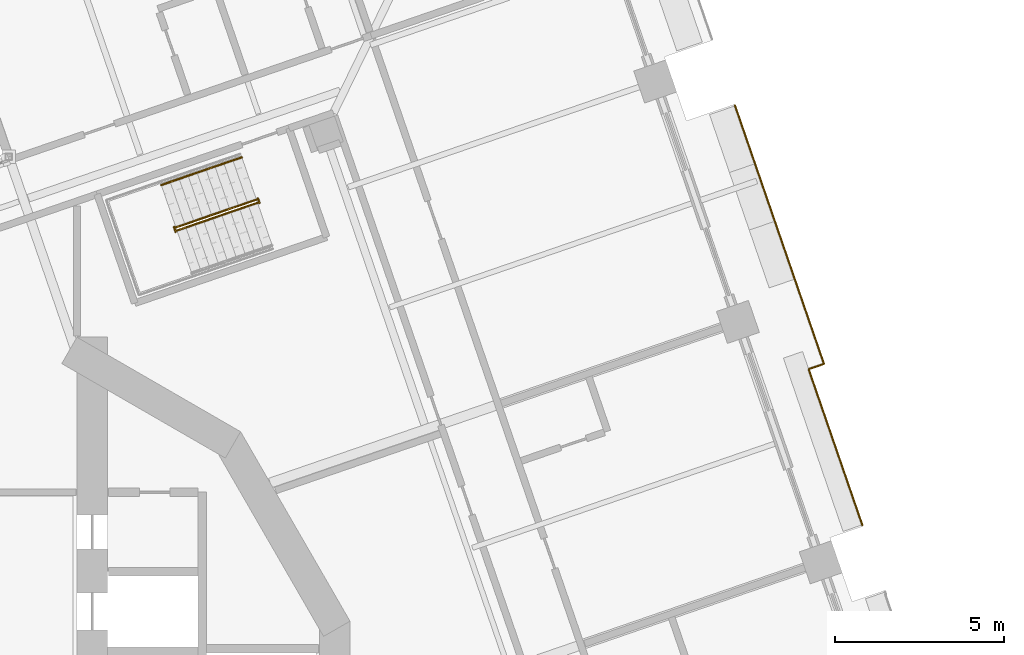
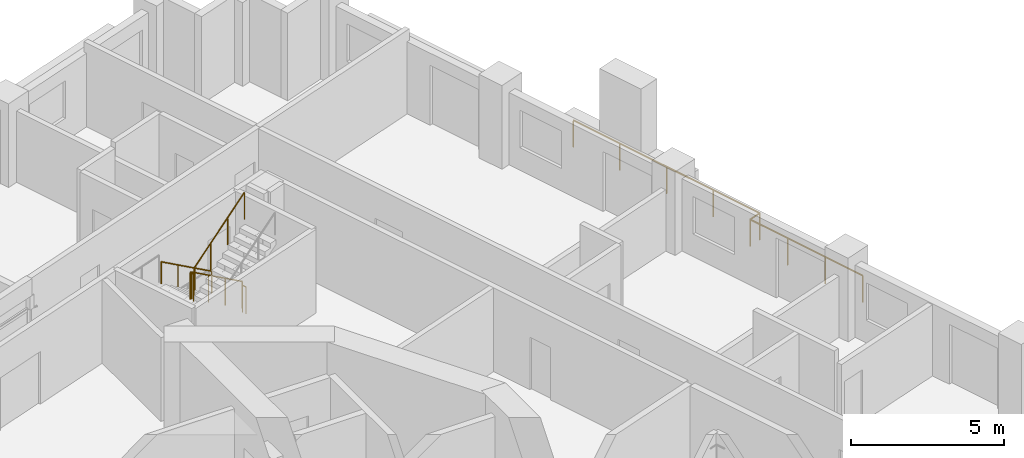
# One storey, part 19 of 22: 5 railings.
"""IFC4 building model written with IfcOpenShell, lengths in metres."""

from ifc_helpers import new_model, si_unit, direction, frame, origin, origin_2d, place, context, subcontext, project, spatial, circle, extrude, material, type_object, element, save


model = new_model("IFC4")

# Units and contexts
model_context = context("Model", 3, precision=1e-05, world=origin(), true_north=direction((0.0, 1.0)))
body_context = subcontext(model_context, "Body", "Model", "MODEL_VIEW")
ifc_project = project(units=[si_unit("LENGTHUNIT", "METRE"), si_unit("AREAUNIT", "SQUARE_METRE"), si_unit("VOLUMEUNIT", "CUBIC_METRE"), si_unit("PLANEANGLEUNIT", "RADIAN"), si_unit("MASSUNIT", "GRAM", prefix="KILO")], contexts=[model_context])

# Site, building, storey
site_placement = place(None, origin())
site = spatial("IfcSite", under=ifc_project, at=site_placement, CompositionType="ELEMENT")
building_placement = place(site_placement, origin())
building = spatial("IfcBuilding", under=site, at=building_placement, Name="Cantera Rosa Tower", CompositionType="ELEMENT")
storey_placement = place(building_placement, frame((0.0, 0.0, 138.300048828125)))
storey = spatial("IfcBuildingStorey", under=building, at=storey_placement, Name="L29", CompositionType="ELEMENT", Elevation=138.300048828125)

# Railings
ifc_material_1 = material(Name="Stainless steel and laminated glass", Category="steel")
railing_type_1 = type_object("IfcRailingType", Name="GUARD 1100", PredefinedType="BALUSTRADE", material=ifc_material_1)
railing_1_placement = place(storey_placement, frame((23.458251953125, 18.494873046875, 0.0)))
element("IfcRailing", 1, at=railing_1_placement, inside=storey, type_object=railing_type_1, Name="GUARD L29-10", PredefinedType="BALUSTRADE", context=body_context, shape_type="SweptSolid", body=[
    extrude(circle(Radius=0.030029296875, at=origin_2d()), frame((0.0, 0.0, 1.070068359375), z_axis=(0.325589884349, -0.945511093118, 0.0), x_axis=(0.945511093118, 0.325589884349, 0.0)), (0.0, 0.0, 1.0), 8.091552734375),
    extrude(circle(Radius=0.030029296875, at=origin_2d()), frame((2.634521484375, -7.650634765625, 1.070068359375), z_axis=(-0.94547584758, -0.325692219193, 0.0), x_axis=(0.325692219193, -0.94547584758, 0.0)), (0.0, 0.0, 1.0), 0.47900390625),
    extrude(circle(Radius=0.030029296875, at=origin_2d()), frame((2.181640625, -7.806640625, 1.070068359375), z_axis=(0.325576621032, -0.945515660281, 0.0), x_axis=(0.945515660281, 0.325576621032, 0.0)), (0.0, 0.0, 1.0), 4.888427734375),
    extrude(circle(Radius=0.02490234375, at=origin_2d()), origin(), (0.0, 0.0, 1.0), 1.0400390625),
    extrude(circle(Radius=0.02490234375, at=origin_2d()), frame((0.65869140625, -1.91259765625, 0.0)), (0.0, 0.0, 1.0), 1.0400390625),
    extrude(circle(Radius=0.02490234375, at=origin_2d()), frame((1.3173828125, -3.8251953125, 0.0)), (0.0, 0.0, 1.0), 1.0400390625),
    extrude(circle(Radius=0.02490234375, at=origin_2d()), frame((1.975830078125, -5.738037109375, 0.0)), (0.0, 0.0, 1.0), 1.0400390625),
    extrude(circle(Radius=0.02490234375, at=origin_2d()), frame((2.634521484375, -7.650634765625, 0.0)), (0.0, 0.0, 1.0), 1.0400390625),
    extrude(circle(Radius=0.02490234375, at=origin_2d()), frame((2.181640625, -7.806640625, 0.0)), (0.0, 0.0, 1.0), 1.0400390625),
    extrude(circle(Radius=0.02490234375, at=origin_2d()), frame((2.712158203125, -9.347412109375, 0.0)), (0.0, 0.0, 1.0), 1.0400390625),
    extrude(circle(Radius=0.02490234375, at=origin_2d()), frame((3.24267578125, -10.887939453125, 0.0)), (0.0, 0.0, 1.0), 1.0400390625),
    extrude(circle(Radius=0.02490234375, at=origin_2d()), frame((3.773193359375, -12.4287109375, 0.0)), (0.0, 0.0, 1.0), 1.0400390625),
])
ifc_material_2 = material(Name="Steel S355J2 (EN 10025-2)", Category="steel")
railing_type_2 = type_object("IfcRailingType", Name="STAIR GUARD 1100", PredefinedType="GUARDRAIL", material=ifc_material_2)
railing_2_placement = place(storey_placement, frame((9.307861328125, 15.7021484375, 0.18994140625)))
element("IfcRailing", 2, at=railing_2_placement, inside=storey, type_object=railing_type_2, Name="L29 ST-21 stair guard 1", PredefinedType="GUARDRAIL", context=body_context, shape_type="SweptSolid", body=[
    extrude(circle(Radius=0.02392578125, at=origin_2d()), frame((0.0, 0.0, 1.076171875), z_axis=(-0.782404165978, -0.269432418223, 0.561471186323), x_axis=(0.325599548996, -0.94550776501, 0.0)), (0.0, 0.0, 1.0), 3.04541015625),
    extrude(circle(Radius=0.02392578125, at=origin_2d()), frame((-2.3828125, -0.820556640625, 2.7861328125), z_axis=(-0.989063265047, 0.147491890402, 0.0), x_axis=(-0.147491890402, -0.989063265047, 0.0)), (0.0, 0.0, 1.0), 0.056396484375),
    extrude(circle(Radius=0.02392578125, at=origin_2d()), frame((-2.4384765625, -0.812255859375, 2.7861328125), z_axis=(0.325990683319, -0.945372981626, 0.0), x_axis=(0.945372981626, 0.325990683319, 0.0)), (0.0, 0.0, 1.0), 0.14990234375),
    extrude(circle(Radius=0.02099609375, at=origin_2d()), origin(), (0.0, 0.0, 1.0), 1.052001953125),
    extrude(circle(Radius=0.02099609375, at=origin_2d()), frame((-0.794189453125, -0.2734375, 0.570068359375)), (0.0, 0.0, 1.0), 1.052001953125),
    extrude(circle(Radius=0.02099609375, at=origin_2d()), frame((-1.588623046875, -0.547119140625, 1.139892578125)), (0.0, 0.0, 1.0), 1.052001953125),
    extrude(circle(Radius=0.02099609375, at=origin_2d()), frame((-2.3828125, -0.820556640625, 1.7099609375)), (0.0, 0.0, 1.0), 1.052001953125),
    extrude(circle(Radius=0.02099609375, at=origin_2d()), frame((-2.4384765625, -0.812255859375, 1.7099609375)), (0.0, 0.0, 1.0), 1.052001953125),
    extrude(circle(Radius=0.02099609375, at=origin_2d()), frame((-2.3896484375, -0.953857421875, 1.7099609375)), (0.0, 0.0, 1.0), 1.052001953125),
])
railing_3_placement = place(storey_placement, frame((6.95703125, 14.7890625, 2.08984375)))
element("IfcRailing", 3, at=railing_3_placement, inside=storey, type_object=railing_type_2, Name="L29 ST-21 stair guard 2", PredefinedType="GUARDRAIL", context=body_context, shape_type="SweptSolid", body=[
    extrude(circle(Radius=0.02392578125, at=origin_2d()), frame((0.0, 0.0, 1.076171875), z_axis=(0.782354748911, 0.26936284008, 0.56157342106), x_axis=(-0.325542759796, 0.945527319301, 0.0)), (0.0, 0.0, 1.0), 3.04541015625),
    extrude(circle(Radius=0.02099609375, at=origin_2d()), origin(), (0.0, 0.0, 1.0), 1.052001953125),
    extrude(circle(Radius=0.02099609375, at=origin_2d()), frame((0.794189453125, 0.2734375, 0.570068359375)), (0.0, 0.0, 1.0), 1.052001953125),
    extrude(circle(Radius=0.02099609375, at=origin_2d()), frame((1.58837890625, 0.546875, 1.14013671875)), (0.0, 0.0, 1.0), 1.052001953125),
    extrude(circle(Radius=0.02099609375, at=origin_2d()), frame((2.382568359375, 0.8203125, 1.710205078125)), (0.0, 0.0, 1.0), 1.052001953125),
])
railing_4_placement = place(storey_placement, frame((9.3466796875, 15.742919921875, 0.0)))
element("IfcRailing", 4, at=railing_4_placement, inside=storey, type_object=railing_type_2, Name="L29 ST-21 stair guard 3", PredefinedType="GUARDRAIL", context=body_context, shape_type="SweptSolid", body=[
    extrude(circle(Radius=0.02392578125, at=origin_2d()), frame((0.0, 0.0, 1.076171875), z_axis=(0.325489086777, -0.945545797087, 0.0), x_axis=(0.945545797087, 0.325489086777, 0.0)), (0.0, 0.0, 1.0), 0.14990234375),
    extrude(circle(Radius=0.02099609375, at=origin_2d()), origin(), (0.0, 0.0, 1.0), 1.052001953125),
    extrude(circle(Radius=0.02099609375, at=origin_2d()), frame((0.048828125, -0.141845703125, 0.0)), (0.0, 0.0, 1.0), 1.052001953125),
])
ifc_material_3 = material(Name="Steel S355J2 (EN 10025-2)", Category="steel")
railing_type_3 = type_object("IfcRailingType", Name="STAIR HANDRAIL 900", PredefinedType="HANDRAIL", material=ifc_material_3)
railing_5_placement = place(storey_placement, frame((8.8759765625, 16.955810546875, 0.18994140625)))
element("IfcRailing", 5, at=railing_5_placement, inside=storey, type_object=railing_type_3, Name="L29 ST-21 stair handrail 1", PredefinedType="HANDRAIL", context=body_context, shape_type="SweptSolid", body=[
    extrude(circle(Radius=0.02392578125, at=origin_2d()), frame((0.0, 0.0, 0.8759765625), z_axis=(-0.782389970342, -0.269374966733, 0.561518531845), x_axis=(0.325542759796, -0.945527319301, 0.0)), (0.0, 0.0, 1.0), 3.045166015625),
    extrude(circle(Radius=0.02099609375, at=origin_2d()), origin(), (0.0, 0.0, 1.0), 0.851806640625),
    extrude(circle(Radius=0.02099609375, at=origin_2d()), frame((-0.794189453125, -0.2734375, 0.570068359375)), (0.0, 0.0, 1.0), 0.851806640625),
    extrude(circle(Radius=0.02099609375, at=origin_2d()), frame((-1.58837890625, -0.546875, 1.139892578125)), (0.0, 0.0, 1.0), 0.851806640625),
    extrude(circle(Radius=0.02099609375, at=origin_2d()), frame((-2.382568359375, -0.8203125, 1.7099609375)), (0.0, 0.0, 1.0), 0.851806640625),
])

save(model, "model.ifc")
